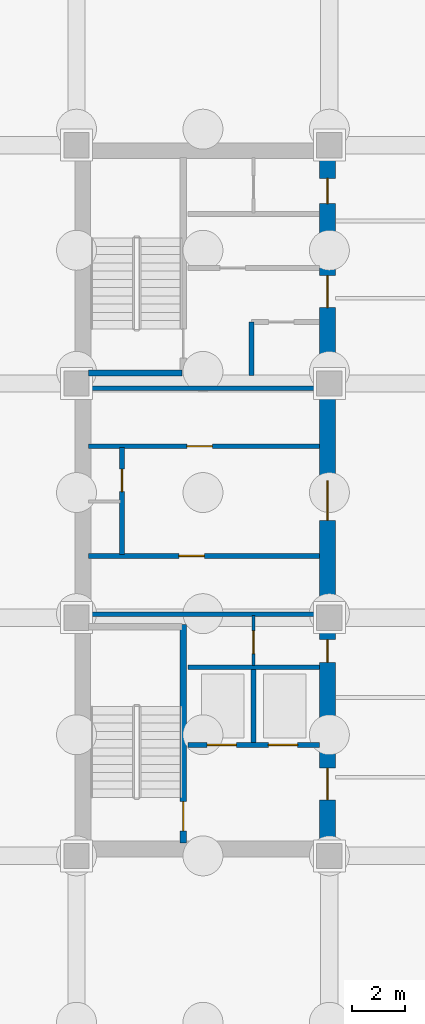
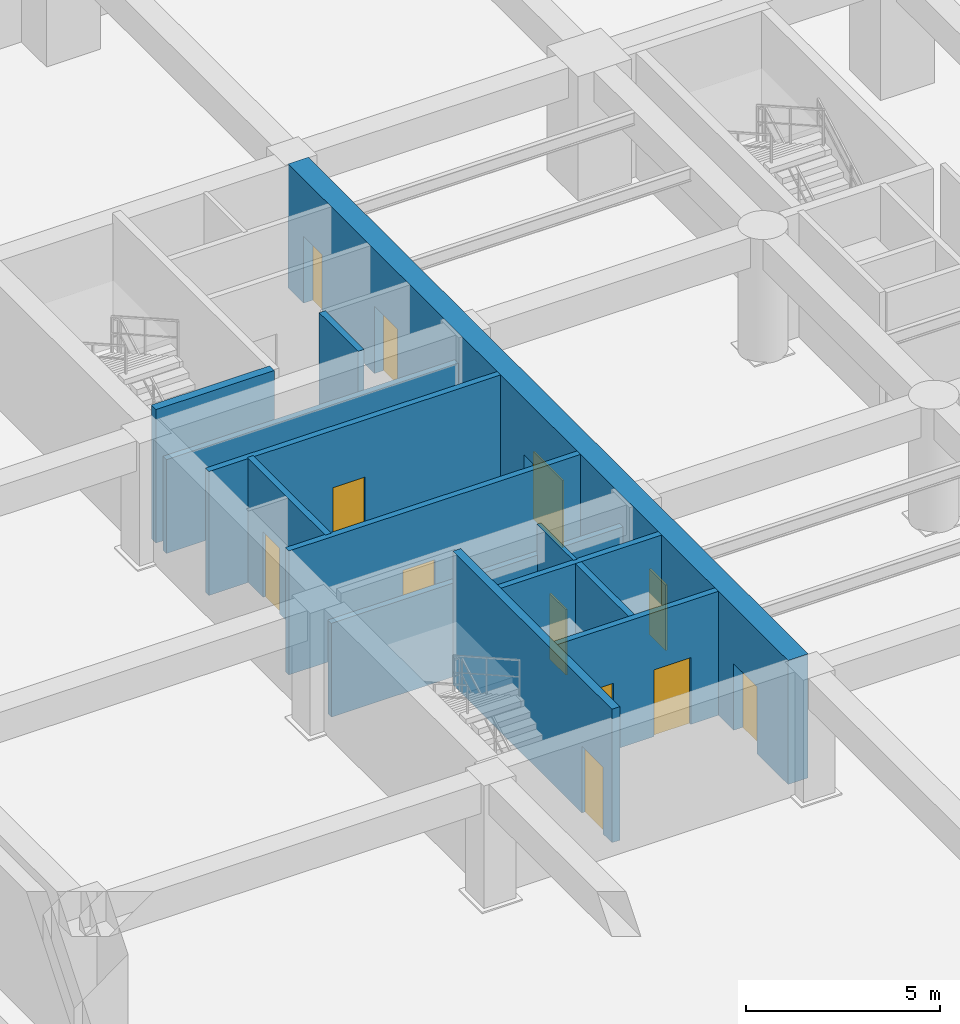
# One storey, part 4 of 9: 13 walls, 12 doors, 12 openings.
"""IFC4 building model written with IfcOpenShell, lengths in metres."""

from ifc_helpers import new_model, si_unit, direction, frame, frame_2d, origin, place, context, subcontext, project, spatial, rectangle, extrude, material, layer, layer_set, type_object, element, fill, save


model = new_model("IFC4")

# Units and contexts
model_context = context("Model", 3, precision=1e-05, world=origin(), true_north=direction((0.0, 1.0)))
body_context = subcontext(model_context, "Body", "Model", "MODEL_VIEW")
ifc_project = project(units=[si_unit("LENGTHUNIT", "METRE"), si_unit("AREAUNIT", "SQUARE_METRE"), si_unit("VOLUMEUNIT", "CUBIC_METRE"), si_unit("PLANEANGLEUNIT", "RADIAN"), si_unit("MASSUNIT", "GRAM", prefix="KILO")], contexts=[model_context])

# Site, building, storey
site_placement = place(None, origin())
site = spatial("IfcSite", under=ifc_project, at=site_placement, CompositionType="ELEMENT")
building_placement = place(site_placement, origin())
building = spatial("IfcBuilding", under=site, at=building_placement, Name="Kundavana Baori Tower", CompositionType="ELEMENT")
storey_placement = place(building_placement, frame((0.0, 0.0, -8.39990234375)))
storey = spatial("IfcBuildingStorey", under=building, at=storey_placement, Name="B02", CompositionType="ELEMENT", Elevation=-8.39990234375)

# Wall, opening, door
ifc_material_1 = material(Name="Concrete C50/60", Category="concrete")
ifc_layer_1 = layer(ifc_material_1, 0.39990234375, Name="WL-CORE-400")
ifc_layer_set_1 = layer_set([ifc_layer_1], Name="Concrete C50/60")
wall_type_1 = type_object("IfcWallType", Name="WL-CORE-400", PredefinedType="SHEAR", material=ifc_layer_set_1)
wall_1_placement = place(storey_placement, frame((19.4599609375, 15.739990234375, 0.0), z_axis=(0.0, 0.0, 1.0), x_axis=(0.0, 1.0, 0.0)))
wall_1 = element("IfcWall", 1, at=wall_1_placement, inside=storey, type_object=wall_type_1, Name="WL-B02-ST1-E", PredefinedType="SHEAR", context=body_context, shape_type="SweptSolid", body=[
    extrude(rectangle(XDim=8.199951171875, YDim=0.239990234375, at=frame_2d((4.10009765625, 0.0))), origin(), (0.0, 0.0, 1.0), 4.199951171875),
])
opening_1_placement = place(wall_1_placement, frame((0.449951171875, 0.0, 0.0)))
opening_1 = element("IfcOpeningElement", 2, at=opening_1_placement, cuts=wall_1, Name="Opening FD-110", PredefinedType="OPENING", context=body_context, shape_type="SweptSolid", body=[
    extrude(rectangle(XDim=1.10009765625, YDim=2.10009765625, at=frame_2d((0.550048828125, 1.050048828125))), frame((0.0, 0.1298828125, 0.0), z_axis=(0.0, -1.0, 0.0), x_axis=(1.0, 0.0, 0.0)), (0.0, 0.0, 1.0), 0.260009765625),
])
ifc_material_2 = material(Name="Galvanised Steel Fire-Rated Door Leaf", Category="steel")
door_type_1 = type_object("IfcDoorType", Name="DR-FD120-1100", OperationType="NOTDEFINED", PredefinedType="DOOR", material=ifc_material_2)
door_1_placement = place(opening_1_placement, origin())
door_1 = element("IfcDoor", 3, at=door_1_placement, inside=storey, type_object=door_type_1, Name="DR-B02-ST1", OperationType="SINGLE_SWING_LEFT", OverallHeight=2.10009765625, OverallWidth=1.10009765625, PredefinedType="DOOR", context=body_context, shape_type="SweptSolid", body=[
    extrude(rectangle(XDim=1.10009765625, YDim=2.10009765625, at=frame_2d((0.550048828125, 1.050048828125))), frame((0.0, 0.02490234375, 0.0), z_axis=(0.0, -1.0, 0.0), x_axis=(1.0, 0.0, 0.0)), (0.0, 0.0, 1.0), 0.050048828125),
])
fill(opening_1, door_1)

# Wall
wall_2_placement = place(storey_placement, frame((15.89990234375, 33.389892578125, 0.0), z_axis=(0.0, 0.0, 1.0), x_axis=(1.0, 0.0, 0.0)))
element("IfcWall", 4, at=wall_2_placement, inside=storey, type_object=wall_type_1, Name="WL-B02-ST2-S", PredefinedType="SHEAR", context=body_context, shape_type="SweptSolid", body=[
    extrude(rectangle(XDim=3.52001953125, YDim=0.239990234375, at=frame_2d((1.760009765625, 0.0))), origin(), (0.0, 0.0, 1.0), 4.199951171875),
])

# Wall, openings, doors
ifc_material_3 = material(Name="Concrete C60/75", Category="concrete")
ifc_layer_2 = layer(ifc_material_3, 0.60009765625, Name="WL-CORE-600")
ifc_layer_set_2 = layer_set([ifc_layer_2], Name="Concrete C60/75")
wall_type_2 = type_object("IfcWallType", Name="WL-CORE-600", PredefinedType="SHEAR", material=ifc_layer_set_2)
wall_3_placement = place(storey_placement, frame((24.8798828125, 15.739990234375, 0.0), z_axis=(0.0, 0.0, 1.0), x_axis=(0.0, 1.0, 0.0)))
wall_3 = element("IfcWall", 5, at=wall_3_placement, inside=storey, type_object=wall_type_2, Name="B02 Offset Core East Shear Wall", PredefinedType="SHEAR", context=body_context, shape_type="SweptSolid", body=[
    extrude(rectangle(XDim=25.760009765625, YDim=0.60009765625, at=frame_2d((12.8798828125, 0.0))), origin(), (0.0, 0.0, 1.0), 3.89990234375),
])
opening_2_placement = place(wall_3_placement, frame((1.610107421875, 0.0, 0.0)))
opening_2 = element("IfcOpeningElement", 6, at=opening_2_placement, cuts=wall_3, Name="Opening FD-120", PredefinedType="OPENING", context=body_context, shape_type="SweptSolid", body=[
    extrude(rectangle(XDim=1.199951171875, YDim=2.10009765625, at=frame_2d((0.60009765625, 1.050048828125))), frame((0.0, 0.31005859375, 0.0), z_axis=(0.0, -1.0, 0.0), x_axis=(1.0, 0.0, 0.0)), (0.0, 0.0, 1.0), 0.6201171875),
])
opening_3_placement = place(wall_3_placement, frame((6.780029296875, 0.0, 0.0)))
opening_3 = element("IfcOpeningElement", 7, at=opening_3_placement, cuts=wall_3, Name="Opening FD-085", PredefinedType="OPENING", context=body_context, shape_type="SweptSolid", body=[
    extrude(rectangle(XDim=0.85009765625, YDim=2.06005859375, at=frame_2d((0.425048828125, 1.030029296875))), frame((0.0, 0.31005859375, 0.0), z_axis=(0.0, -1.0, 0.0), x_axis=(1.0, 0.0, 0.0)), (0.0, 0.0, 1.0), 0.6201171875),
])
opening_4_placement = place(wall_3_placement, frame((12.110107421875, 0.0, 0.0)))
opening_4 = element("IfcOpeningElement", 8, at=opening_4_placement, cuts=wall_3, Name="Opening FD-150", PredefinedType="OPENING", context=body_context, shape_type="SweptSolid", body=[
    extrude(rectangle(XDim=1.5, YDim=2.1201171875, at=frame_2d((0.75, 1.06005859375))), frame((0.0, 0.31005859375, 0.0), z_axis=(0.0, -1.0, 0.0), x_axis=(1.0, 0.0, 0.0)), (0.0, 0.0, 1.0), 0.6201171875),
])
opening_5_placement = place(wall_3_placement, frame((20.110107421875, 0.0, 0.0)))
opening_5 = element("IfcOpeningElement", 9, at=opening_5_placement, cuts=wall_3, Name="Opening FD-122", PredefinedType="OPENING", context=body_context, shape_type="SweptSolid", body=[
    extrude(rectangle(XDim=1.199951171875, YDim=2.1201171875, at=frame_2d((0.60009765625, 1.06005859375))), frame((0.0, 0.31005859375, 0.0), z_axis=(0.0, -1.0, 0.0), x_axis=(1.0, 0.0, 0.0)), (0.0, 0.0, 1.0), 0.6201171875),
])
opening_6_placement = place(wall_3_placement, frame((24.010009765625, 0.0, 0.0)))
opening_6 = element("IfcOpeningElement", 10, at=opening_6_placement, cuts=wall_3, Name="Opening FD-095", PredefinedType="OPENING", context=body_context, shape_type="SweptSolid", body=[
    extrude(rectangle(XDim=0.949951171875, YDim=2.10009765625, at=frame_2d((0.47509765625, 1.050048828125))), frame((0.0, 0.31005859375, 0.0), z_axis=(0.0, -1.0, 0.0), x_axis=(1.0, 0.0, 0.0)), (0.0, 0.0, 1.0), 0.6201171875),
])
ifc_material_4 = material(Name="Galvanised Steel Fire-Rated Door Leaf", Category="steel")
door_type_2 = type_object("IfcDoorType", Name="DR-FD120-1200", OperationType="NOTDEFINED", PredefinedType="DOOR", material=ifc_material_4)
door_2_placement = place(opening_2_placement, frame((1.199951171875, 0.0, 0.0), z_axis=(0.0, 0.0, 1.0), x_axis=(-1.0, 0.0, 0.0)))
door_2 = element("IfcDoor", 11, at=door_2_placement, inside=storey, type_object=door_type_2, Name="DR-B02-FFLOB-E", OperationType="SINGLE_SWING_RIGHT", OverallHeight=2.10009765625, OverallWidth=1.199951171875, PredefinedType="DOOR", context=body_context, shape_type="SweptSolid", body=[
    extrude(rectangle(XDim=1.199951171875, YDim=2.10009765625, at=frame_2d((0.60009765625, 1.050048828125))), frame((0.0, 0.02490234375, 0.0), z_axis=(0.0, -1.0, 0.0), x_axis=(1.0, 0.0, 0.0)), (0.0, 0.0, 1.0), 0.050048828125),
])
fill(opening_2, door_2)
ifc_material_5 = material(Name="Galvanised Steel Fire-Rated Door Leaf", Category="steel")
door_type_3 = type_object("IfcDoorType", Name="DR-FD60-1200", OperationType="NOTDEFINED", PredefinedType="DOOR", material=ifc_material_5)
door_3_placement = place(opening_5_placement, frame((1.199951171875, 0.0, 0.0), z_axis=(0.0, 0.0, 1.0), x_axis=(-1.0, 0.0, 0.0)))
door_3 = element("IfcDoor", 12, at=door_3_placement, inside=storey, type_object=door_type_3, Name="DR-B02-HRLOB-E", OperationType="SINGLE_SWING_RIGHT", OverallHeight=2.1201171875, OverallWidth=1.199951171875, PredefinedType="DOOR", context=body_context, shape_type="SweptSolid", body=[
    extrude(rectangle(XDim=1.199951171875, YDim=2.1201171875, at=frame_2d((0.60009765625, 1.06005859375))), frame((0.0, 0.02490234375, 0.0), z_axis=(0.0, -1.0, 0.0), x_axis=(1.0, 0.0, 0.0)), (0.0, 0.0, 1.0), 0.050048828125),
])
fill(opening_5, door_3)
ifc_material_6 = material(Name="Galvanised Steel Fire-Rated Door Leaf", Category="steel")
door_type_4 = type_object("IfcDoorType", Name="DR-FD60-1500", OperationType="NOTDEFINED", PredefinedType="DOOR", material=ifc_material_6)
door_4_placement = place(opening_4_placement, frame((1.5, 0.0, 0.0), z_axis=(0.0, 0.0, 1.0), x_axis=(-1.0, 0.0, 0.0)))
door_4 = element("IfcDoor", 13, at=door_4_placement, inside=storey, type_object=door_type_4, Name="DR-B02-LIFTHALL-E", OperationType="SINGLE_SWING_LEFT", OverallHeight=2.1201171875, OverallWidth=1.5, PredefinedType="DOOR", context=body_context, shape_type="SweptSolid", body=[
    extrude(rectangle(XDim=1.5, YDim=2.1201171875, at=frame_2d((0.75, 1.06005859375))), frame((0.0, 0.02490234375, 0.0), z_axis=(0.0, -1.0, 0.0), x_axis=(1.0, 0.0, 0.0)), (0.0, 0.0, 1.0), 0.050048828125),
])
fill(opening_4, door_4)
ifc_material_7 = material(Name="Galvanised Steel Fire-Rated Door Leaf", Category="steel")
door_type_5 = type_object("IfcDoorType", Name="DR-FD60-850", OperationType="NOTDEFINED", PredefinedType="DOOR", material=ifc_material_7)
door_5_placement = place(opening_3_placement, frame((0.85009765625, 0.0, 0.0), z_axis=(0.0, 0.0, 1.0), x_axis=(-1.0, 0.0, 0.0)))
door_5 = element("IfcDoor", 14, at=door_5_placement, inside=storey, type_object=door_type_5, Name="DR-B02-CSMK2", OperationType="SINGLE_SWING_RIGHT", OverallHeight=2.06005859375, OverallWidth=0.85009765625, PredefinedType="DOOR", context=body_context, shape_type="SweptSolid", body=[
    extrude(rectangle(XDim=0.85009765625, YDim=2.06005859375, at=frame_2d((0.425048828125, 1.030029296875))), frame((0.0, 0.02490234375, 0.0), z_axis=(0.0, -1.0, 0.0), x_axis=(1.0, 0.0, 0.0)), (0.0, 0.0, 1.0), 0.050048828125),
])
fill(opening_3, door_5)
ifc_material_8 = material(Name="Engineered Teak Fire-Rated Timber Door Leaf", Category="wood")
door_type_6 = type_object("IfcDoorType", Name="DR-FD60-950", OperationType="NOTDEFINED", PredefinedType="DOOR", material=ifc_material_8)
door_6_placement = place(opening_6_placement, frame((0.949951171875, 0.0, 0.0), z_axis=(0.0, 0.0, 1.0), x_axis=(-1.0, 0.0, 0.0)))
door_6 = element("IfcDoor", 15, at=door_6_placement, inside=storey, type_object=door_type_6, Name="DR-B02-CSRV2", OperationType="SINGLE_SWING_RIGHT", OverallHeight=2.10009765625, OverallWidth=0.949951171875, PredefinedType="DOOR", context=body_context, shape_type="SweptSolid", body=[
    extrude(rectangle(XDim=0.949951171875, YDim=2.10009765625, at=frame_2d((0.47509765625, 1.050048828125))), frame((0.0, 0.02490234375, 0.0), z_axis=(0.0, -1.0, 0.0), x_axis=(1.0, 0.0, 0.0)), (0.0, 0.0, 1.0), 0.050048828125),
])
fill(opening_6, door_6)

# Wall, opening, door
ifc_material_9 = material(Name="Acoustic Gypsum Plasterboard on Galvanised Steel Studs", Category="steel")
ifc_layer_3 = layer(ifc_material_9, 0.1201171875, Name="WL-PART-120")
ifc_layer_set_3 = layer_set([ifc_layer_3], Name="Acoustic Gypsum Plasterboard on Galvanised Steel Studs")
wall_type_3 = type_object("IfcWallType", Name="WL-PART-120", PredefinedType="PARTITIONING", material=ifc_layer_set_3)
wall_4_placement = place(storey_placement, frame((22.10009765625, 22.39990234375, 0.0), z_axis=(0.0, 0.0, 1.0), x_axis=(0.0, 1.0, 0.0)))
wall_4 = element("IfcWall", 16, at=wall_4_placement, inside=storey, type_object=wall_type_3, Name="WL-B02-CSMK-D1", PredefinedType="PARTITIONING", context=body_context, shape_type="SweptSolid", body=[
    extrude(rectangle(XDim=1.880126953125, YDim=0.1201171875, at=frame_2d((0.93994140625, 0.0))), origin(), (0.0, 0.0, 1.0), 3.89990234375),
])
opening_7_placement = place(wall_4_placement, frame((0.449951171875, 0.0, 0.0)))
opening_7 = element("IfcOpeningElement", 17, at=opening_7_placement, cuts=wall_4, Name="Opening FD-085", PredefinedType="OPENING", context=body_context, shape_type="SweptSolid", body=[
    extrude(rectangle(XDim=0.85009765625, YDim=2.06005859375, at=frame_2d((0.425048828125, 1.030029296875))), frame((0.0, 0.070068359375, 0.0), z_axis=(0.0, -1.0, 0.0), x_axis=(1.0, 0.0, 0.0)), (0.0, 0.0, 1.0), 0.14013671875),
])
door_7_placement = place(opening_7_placement, origin())
door_7 = element("IfcDoor", 18, at=door_7_placement, inside=storey, type_object=door_type_5, Name="DR-B02-CSMK1", OperationType="SINGLE_SWING_LEFT", OverallHeight=2.06005859375, OverallWidth=0.85009765625, PredefinedType="DOOR", context=body_context, shape_type="SweptSolid", body=[
    extrude(rectangle(XDim=0.85009765625, YDim=2.06005859375, at=frame_2d((0.425048828125, 1.030029296875))), frame((0.0, 0.02490234375, 0.0), z_axis=(0.0, -1.0, 0.0), x_axis=(1.0, 0.0, 0.0)), (0.0, 0.0, 1.0), 0.050048828125),
])
fill(opening_7, door_7)

# Wall, openings, doors
ifc_material_10 = material(Name="Autoclaved Aerated Concrete Blockwork Masonry", Category="masonry")
ifc_layer_4 = layer(ifc_material_10, 0.179931640625, Name="WL-SHAFT-180")
ifc_layer_set_4 = layer_set([ifc_layer_4], Name="Autoclaved Aerated Concrete Blockwork Masonry")
wall_type_4 = type_object("IfcWallType", Name="WL-SHAFT-180", PredefinedType="SOLIDWALL", material=ifc_layer_set_4)
wall_5_placement = place(storey_placement, frame((19.639892578125, 19.419921875, 0.0), z_axis=(0.0, 0.0, 1.0), x_axis=(1.0, 0.0, 0.0)))
wall_5 = element("IfcWall", 19, at=wall_5_placement, inside=storey, type_object=wall_type_4, Name="WL-B02-FFL-S", PredefinedType="SOLIDWALL", context=body_context, shape_type="SweptSolid", body=[
    extrude(rectangle(XDim=4.940185546875, YDim=0.179931640625, at=frame_2d((2.47021484375, 0.0))), origin(), (0.0, 0.0, 1.0), 3.89990234375),
])
opening_8_placement = place(wall_5_placement, frame((0.719970703125, 0.0, 0.0)))
opening_8 = element("IfcOpeningElement", 20, at=opening_8_placement, cuts=wall_5, Name="Opening LD-110", PredefinedType="OPENING", context=body_context, shape_type="SweptSolid", body=[
    extrude(rectangle(XDim=1.10009765625, YDim=2.10009765625, at=frame_2d((0.550048828125, 1.050048828125))), frame((0.0, 0.10009765625, 0.0), z_axis=(0.0, -1.0, 0.0), x_axis=(1.0, 0.0, 0.0)), (0.0, 0.0, 1.0), 0.199951171875),
])
opening_9_placement = place(wall_5_placement, frame((3.02001953125, 0.0, 0.0)))
opening_9 = element("IfcOpeningElement", 21, at=opening_9_placement, cuts=wall_5, Name="Opening LD-110", PredefinedType="OPENING", context=body_context, shape_type="SweptSolid", body=[
    extrude(rectangle(XDim=1.10009765625, YDim=2.10009765625, at=frame_2d((0.550048828125, 1.050048828125))), frame((0.0, 0.10009765625, 0.0), z_axis=(0.0, -1.0, 0.0), x_axis=(1.0, 0.0, 0.0)), (0.0, 0.0, 1.0), 0.199951171875),
])
ifc_material_11 = material(Name="Galvanised Steel Fire-Rated Door Leaf", Category="steel")
door_type_7 = type_object("IfcDoorType", Name="DR-SLIDE-LD1100", OperationType="NOTDEFINED", PredefinedType="DOOR", material=ifc_material_11)
door_8_placement = place(opening_8_placement, origin())
door_8 = element("IfcDoor", 22, at=door_8_placement, inside=storey, type_object=door_type_7, Name="DR-B02-LD-FFL-1", OperationType="DOUBLE_DOOR_SLIDING", OverallHeight=2.10009765625, OverallWidth=1.10009765625, PredefinedType="DOOR", context=body_context, shape_type="SweptSolid", body=[
    extrude(rectangle(XDim=1.10009765625, YDim=2.10009765625, at=frame_2d((0.550048828125, 1.050048828125))), frame((0.0, 0.02490234375, 0.0), z_axis=(0.0, -1.0, 0.0), x_axis=(1.0, 0.0, 0.0)), (0.0, 0.0, 1.0), 0.050048828125),
])
fill(opening_8, door_8)
door_9_placement = place(opening_9_placement, origin())
door_9 = element("IfcDoor", 23, at=door_9_placement, inside=storey, type_object=door_type_7, Name="DR-B02-LD-FFL-2", OperationType="DOUBLE_DOOR_SLIDING", OverallHeight=2.10009765625, OverallWidth=1.10009765625, PredefinedType="DOOR", context=body_context, shape_type="SweptSolid", body=[
    extrude(rectangle(XDim=1.10009765625, YDim=2.10009765625, at=frame_2d((0.550048828125, 1.050048828125))), frame((0.0, 0.02490234375, 0.0), z_axis=(0.0, -1.0, 0.0), x_axis=(1.0, 0.0, 0.0)), (0.0, 0.0, 1.0), 0.050048828125),
])
fill(opening_9, door_9)

# Walls
wall_6_placement = place(storey_placement, frame((22.10009765625, 19.510009765625, 0.0), z_axis=(0.0, 0.0, 1.0), x_axis=(0.0, 1.0, 0.0)))
element("IfcWall", 24, at=wall_6_placement, inside=storey, type_object=wall_type_4, Name="WL-B02-FFL-MID", PredefinedType="SOLIDWALL", context=body_context, shape_type="SweptSolid", body=[
    extrude(rectangle(XDim=2.739990234375, YDim=0.179931640625, at=frame_2d((1.3701171875, 0.0))), origin(), (0.0, 0.0, 1.0), 3.89990234375),
])
wall_7_placement = place(storey_placement, frame((19.639892578125, 22.340087890625, 0.0), z_axis=(0.0, 0.0, 1.0), x_axis=(1.0, 0.0, 0.0)))
element("IfcWall", 25, at=wall_7_placement, inside=storey, type_object=wall_type_4, Name="WL-B02-FFL-N", PredefinedType="SOLIDWALL", context=body_context, shape_type="SweptSolid", body=[
    extrude(rectangle(XDim=4.940185546875, YDim=0.179931640625, at=frame_2d((2.47021484375, 0.0))), origin(), (0.0, 0.0, 1.0), 3.89990234375),
])

# Wall, opening, door
wall_8_placement = place(storey_placement, frame((15.89990234375, 26.52001953125, 0.0), z_axis=(0.0, 0.0, 1.0), x_axis=(1.0, 0.0, 0.0)))
wall_8 = element("IfcWall", 26, at=wall_8_placement, inside=storey, type_object=wall_type_4, Name="WL-B02-LPLOW-N", PredefinedType="SOLIDWALL", context=body_context, shape_type="SweptSolid", body=[
    extrude(rectangle(XDim=8.68017578125, YDim=0.179931640625, at=frame_2d((4.340087890625, 0.0))), origin(), (0.0, 0.0, 1.0), 3.89990234375),
])
opening_10_placement = place(wall_8_placement, frame((3.39990234375, 0.0, 0.0)))
opening_10 = element("IfcOpeningElement", 27, at=opening_10_placement, cuts=wall_8, Name="Opening FD-095", PredefinedType="OPENING", context=body_context, shape_type="SweptSolid", body=[
    extrude(rectangle(XDim=0.949951171875, YDim=2.10009765625, at=frame_2d((0.47509765625, 1.050048828125))), frame((0.0, 0.10009765625, 0.0), z_axis=(0.0, -1.0, 0.0), x_axis=(1.0, 0.0, 0.0)), (0.0, 0.0, 1.0), 0.199951171875),
])
door_10_placement = place(opening_10_placement, origin())
door_10 = element("IfcDoor", 28, at=door_10_placement, inside=storey, type_object=door_type_6, Name="DR-B02-BSMTLOW", OperationType="SINGLE_SWING_LEFT", OverallHeight=2.10009765625, OverallWidth=0.949951171875, PredefinedType="DOOR", context=body_context, shape_type="SweptSolid", body=[
    extrude(rectangle(XDim=0.949951171875, YDim=2.10009765625, at=frame_2d((0.47509765625, 1.050048828125))), frame((0.0, 0.02490234375, 0.0), z_axis=(0.0, -1.0, 0.0), x_axis=(1.0, 0.0, 0.0)), (0.0, 0.0, 1.0), 0.050048828125),
])
fill(opening_10, door_10)

# Wall
wall_9_placement = place(storey_placement, frame((15.89990234375, 24.330078125, 0.0), z_axis=(0.0, 0.0, 1.0), x_axis=(1.0, 0.0, 0.0)))
element("IfcWall", 29, at=wall_9_placement, inside=storey, type_object=wall_type_4, Name="WL-B02-LPLOW-S", PredefinedType="SOLIDWALL", context=body_context, shape_type="SweptSolid", body=[
    extrude(rectangle(XDim=8.68017578125, YDim=0.179931640625, at=frame_2d((4.340087890625, 0.0))), origin(), (0.0, 0.0, 1.0), 2.949951171875),
])

# Wall, opening, door
wall_10_placement = place(storey_placement, frame((17.159912109375, 26.580078125, 0.0), z_axis=(0.0, 0.0, 1.0), x_axis=(0.0, 1.0, 0.0)))
wall_10 = element("IfcWall", 30, at=wall_10_placement, inside=storey, type_object=wall_type_4, Name="WL-B02-RSRW-E", PredefinedType="SOLIDWALL", context=body_context, shape_type="SweptSolid", body=[
    extrude(rectangle(XDim=4.02001953125, YDim=0.179931640625, at=frame_2d((2.010009765625, 0.0))), origin(), (0.0, 0.0, 1.0), 3.89990234375),
])
opening_11_placement = place(wall_10_placement, frame((2.35009765625, 0.0, 0.0)))
opening_11 = element("IfcOpeningElement", 31, at=opening_11_placement, cuts=wall_10, Name="Opening FD-085", PredefinedType="OPENING", context=body_context, shape_type="SweptSolid", body=[
    extrude(rectangle(XDim=0.85009765625, YDim=2.06005859375, at=frame_2d((0.425048828125, 1.030029296875))), frame((0.0, 0.10009765625, 0.0), z_axis=(0.0, -1.0, 0.0), x_axis=(1.0, 0.0, 0.0)), (0.0, 0.0, 1.0), 0.199951171875),
])
door_11_placement = place(opening_11_placement, origin())
door_11 = element("IfcDoor", 32, at=door_11_placement, inside=storey, type_object=door_type_5, Name="DR-B02-CLN", OperationType="SINGLE_SWING_RIGHT", OverallHeight=2.06005859375, OverallWidth=0.85009765625, PredefinedType="DOOR", context=body_context, shape_type="SweptSolid", body=[
    extrude(rectangle(XDim=0.85009765625, YDim=2.06005859375, at=frame_2d((0.425048828125, 1.030029296875))), frame((0.0, 0.02490234375, 0.0), z_axis=(0.0, -1.0, 0.0), x_axis=(1.0, 0.0, 0.0)), (0.0, 0.0, 1.0), 0.050048828125),
])
fill(opening_11, door_11)

wall_11_placement = place(storey_placement, frame((15.89990234375, 30.639892578125, 0.0), z_axis=(0.0, 0.0, 1.0), x_axis=(1.0, 0.0, 0.0)))
wall_11 = element("IfcWall", 33, at=wall_11_placement, inside=storey, type_object=wall_type_4, Name="WL-B02-LPMID-S", PredefinedType="SOLIDWALL", context=body_context, shape_type="SweptSolid", body=[
    extrude(rectangle(XDim=8.68017578125, YDim=0.179931640625, at=frame_2d((4.340087890625, 0.0))), origin(), (0.0, 0.0, 1.0), 3.89990234375),
])
opening_12_placement = place(wall_11_placement, frame((3.699951171875, 0.0, 0.0)))
opening_12 = element("IfcOpeningElement", 34, at=opening_12_placement, cuts=wall_11, Name="Opening FD-095", PredefinedType="OPENING", context=body_context, shape_type="SweptSolid", body=[
    extrude(rectangle(XDim=0.949951171875, YDim=2.10009765625, at=frame_2d((0.47509765625, 1.050048828125))), frame((0.0, 0.10009765625, 0.0), z_axis=(0.0, -1.0, 0.0), x_axis=(1.0, 0.0, 0.0)), (0.0, 0.0, 1.0), 0.199951171875),
])
door_12_placement = place(opening_12_placement, frame((0.949951171875, 0.0, 0.0), z_axis=(0.0, 0.0, 1.0), x_axis=(-1.0, 0.0, 0.0)))
door_12 = element("IfcDoor", 35, at=door_12_placement, inside=storey, type_object=door_type_6, Name="DR-B02-BSMTMID", OperationType="SINGLE_SWING_RIGHT", OverallHeight=2.10009765625, OverallWidth=0.949951171875, PredefinedType="DOOR", context=body_context, shape_type="SweptSolid", body=[
    extrude(rectangle(XDim=0.949951171875, YDim=2.10009765625, at=frame_2d((0.47509765625, 1.050048828125))), frame((0.0, 0.02490234375, 0.0), z_axis=(0.0, -1.0, 0.0), x_axis=(1.0, 0.0, 0.0)), (0.0, 0.0, 1.0), 0.050048828125),
])
fill(opening_12, door_12)

# Walls
wall_12_placement = place(storey_placement, frame((15.89990234375, 32.820068359375, 0.0), z_axis=(0.0, 0.0, 1.0), x_axis=(1.0, 0.0, 0.0)))
element("IfcWall", 36, at=wall_12_placement, inside=storey, type_object=wall_type_4, Name="WL-B02-LPMID-N", PredefinedType="SOLIDWALL", context=body_context, shape_type="SweptSolid", body=[
    extrude(rectangle(XDim=8.68017578125, YDim=0.179931640625, at=frame_2d((4.340087890625, 0.0))), origin(), (0.0, 0.0, 1.0), 2.949951171875),
])
wall_13_placement = place(storey_placement, frame((22.02001953125, 33.300048828125, 0.0), z_axis=(0.0, 0.0, 1.0), x_axis=(0.0, 1.0, 0.0)))
element("IfcWall", 37, at=wall_13_placement, inside=storey, type_object=wall_type_4, Name="WL-B02-LP11-W", PredefinedType="SOLIDWALL", context=body_context, shape_type="SweptSolid", body=[
    extrude(rectangle(XDim=2.010009765625, YDim=0.179931640625, at=frame_2d((1.0048828125, 0.0))), origin(), (0.0, 0.0, 1.0), 3.89990234375),
])

save(model, "model.ifc")
